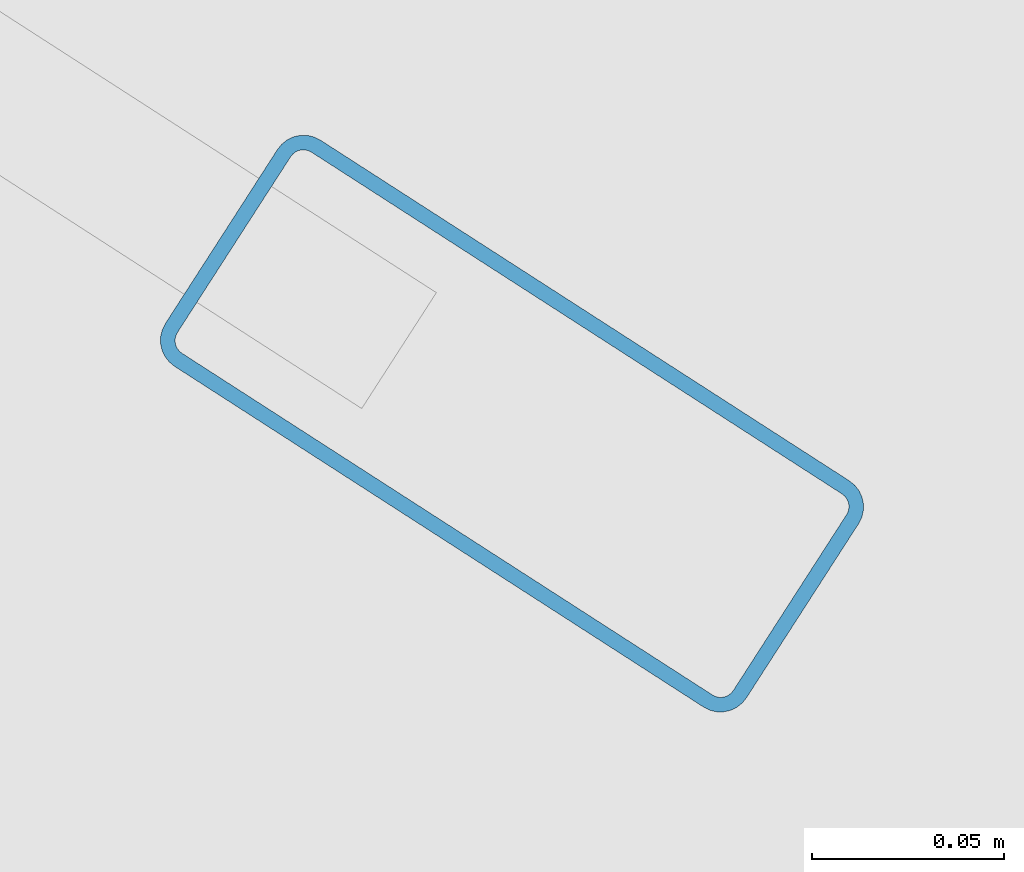
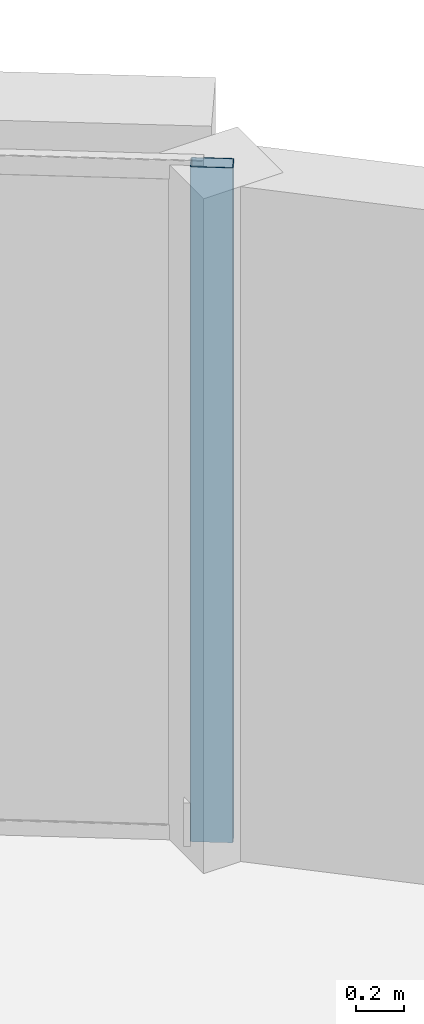
# One storey, part 5 of 15: 1 member, 1 element without a shape of its own.
"""IFC4 building model written with IfcOpenShell, lengths in metres."""

from ifc_helpers import new_model, si_unit, direction, frame, origin, origin_2d, place, context, subcontext, project, spatial, hollow_rectangle, extrude, material, layer, layer_set, material_profile, profile_set, type_object, element, aggregate, save


model = new_model("IFC4")

# Units and contexts
model_context = context("Model", 3, precision=1e-05, world=origin(), true_north=direction((0.0, 1.0)))
body_context = subcontext(model_context, "Body", "Model", "MODEL_VIEW")
ifc_project = project(units=[si_unit("LENGTHUNIT", "METRE"), si_unit("AREAUNIT", "SQUARE_METRE"), si_unit("VOLUMEUNIT", "CUBIC_METRE"), si_unit("PLANEANGLEUNIT", "RADIAN"), si_unit("MASSUNIT", "GRAM", prefix="KILO")], contexts=[model_context])

# Site, building, storey
site_placement = place(None, origin())
site = spatial("IfcSite", under=ifc_project, at=site_placement, CompositionType="ELEMENT")
building_placement = place(site_placement, origin())
building = spatial("IfcBuilding", under=site, at=building_placement, Name="An Khanh Terracotta Commons", CompositionType="ELEMENT")
storey_placement = place(building_placement, frame((0.0, 0.0, 179.800048828125)))
storey = spatial("IfcBuildingStorey", under=building, at=storey_placement, Name="L47", CompositionType="ELEMENT", Elevation=179.800048828125)

# Curtain wall, member
ifc_material = material(Name="Anodised Aluminium 6063-T6", Category="aluminium")
ifc_layer = layer(ifc_material, 0.2099609375, Name="Anodised Aluminium 6063-T6")
ifc_layer_set = layer_set([ifc_layer], Name="Anodised Aluminium 6063-T6")
curtain_wall_type = type_object("IfcCurtainWallType", Name="CW-SYS-03", PredefinedType="USERDEFINED", material=ifc_layer_set)
curtain_wall_placement = place(storey_placement, origin())
curtain_wall = element("IfcCurtainWall", 1, at=curtain_wall_placement, inside=storey, type_object=curtain_wall_type, Name="L47 CW-03 Unitised Curtain Wall CW-L47-16", ObjectType="UNITISED CURTAIN WALL", PredefinedType="USERDEFINED")
ifc_material_profile = material_profile(ifc_material, hollow_rectangle(XDim=0.070068359375, YDim=0.179931640625, WallThickness=0.00390625, InnerFilletRadius=0.00390625, OuterFilletRadius=0.008056640625, at=origin_2d()), Name="RHS180x70x4")
ifc_profile_set = profile_set([ifc_material_profile], Name="Anodised Aluminium 6063-T6")
member_type = type_object("IfcMemberType", Name="CWM-RHS180x70x4", PredefinedType="MULLION", material=ifc_profile_set)
member_placement = place(storey_placement, frame((60.448486328125, 35.843017578125, 0.0), z_axis=(0.0, 0.0, 1.0), x_axis=(-0.541497931062, -0.840702081986, 0.0)))
member = element("IfcMember", 2, at=member_placement, type_object=member_type, Name="CW-03 mullion 1", PredefinedType="MULLION", context=body_context, shape_type="SweptSolid", body=[
    extrude(hollow_rectangle(XDim=0.070068359375, YDim=0.179931640625, WallThickness=0.00390625, InnerFilletRadius=0.00390625, OuterFilletRadius=0.008056640625, at=origin_2d()), origin(), (0.0, 0.0, 1.0), 3.39990234375),
])
aggregate(curtain_wall, [member])

save(model, "model.ifc")
